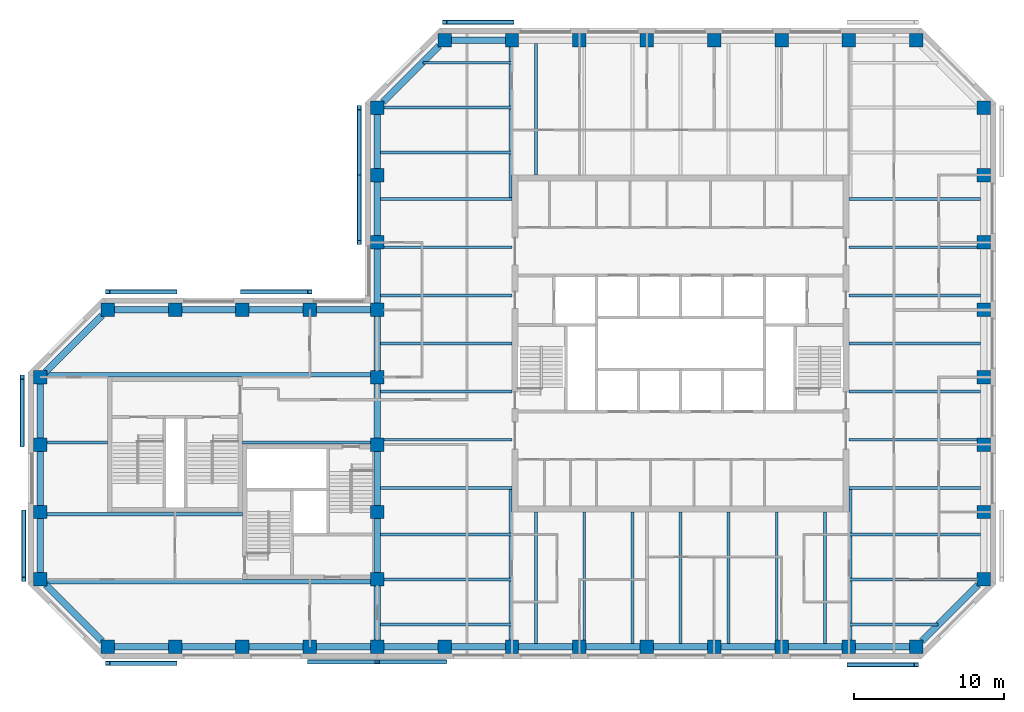
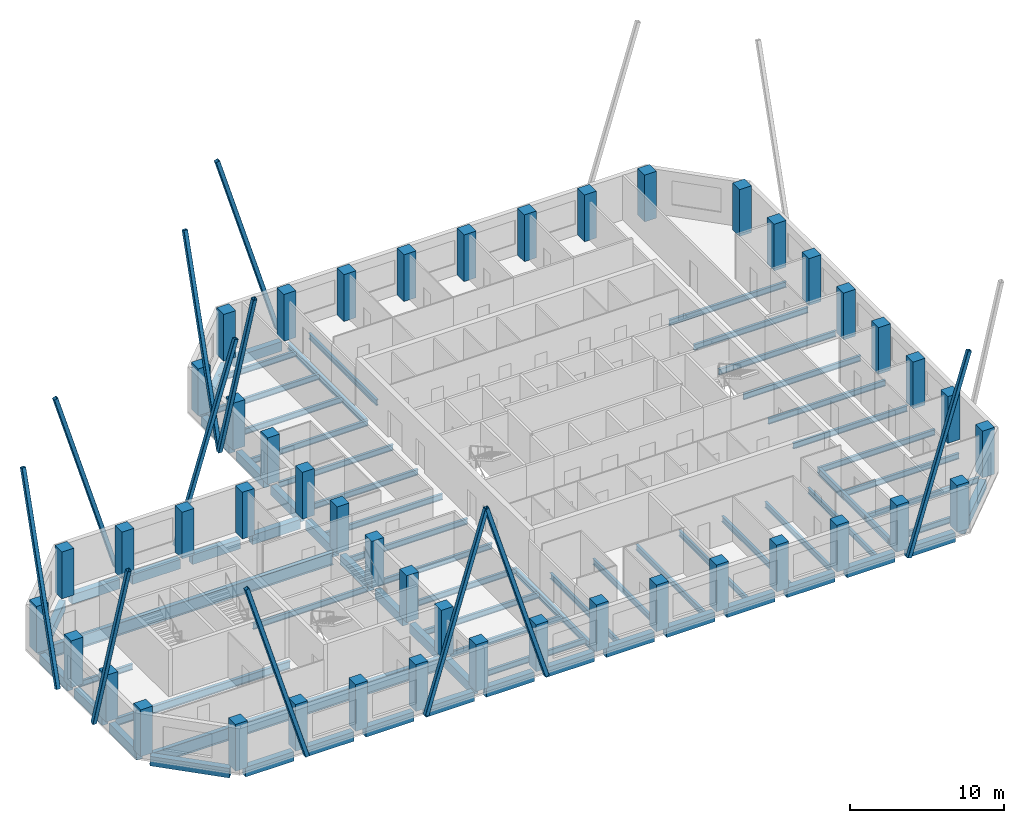
# One storey, part 1 of 10: 71 beams, 45 columns, 11 members.
"""IFC4 building model written with IfcOpenShell, lengths in metres."""

from ifc_helpers import new_model, si_unit, direction, frame, origin, origin_2d, place, context, subcontext, project, spatial, rectangle, hollow_rectangle, i_section, extrude, material, material_profile, profile_set, type_object, element, save


model = new_model("IFC4")

# Units and contexts
model_context = context("Model", 3, precision=1e-05, world=origin(), true_north=direction((0.0, 1.0)))
body_context = subcontext(model_context, "Body", "Model", "MODEL_VIEW")
ifc_project = project(units=[si_unit("LENGTHUNIT", "METRE"), si_unit("AREAUNIT", "SQUARE_METRE"), si_unit("VOLUMEUNIT", "CUBIC_METRE"), si_unit("PLANEANGLEUNIT", "RADIAN"), si_unit("MASSUNIT", "GRAM", prefix="KILO")], contexts=[model_context])

# Site, building, storey
site_placement = place(None, origin())
site = spatial("IfcSite", under=ifc_project, at=site_placement, CompositionType="ELEMENT")
building_placement = place(site_placement, origin())
building = spatial("IfcBuilding", under=site, at=building_placement, Name="Quoin Convention Tower", CompositionType="ELEMENT")
storey_placement = place(building_placement, frame((0.0, 0.0, 234.10009765625)))
storey = spatial("IfcBuildingStorey", under=building, at=storey_placement, Name="L61", CompositionType="ELEMENT", Elevation=234.10009765625)

# Columns
ifc_material_1 = material(Name="Concrete C50", Category="concrete")
ifc_material_profile_1 = material_profile(ifc_material_1, rectangle(XDim=0.89990234375, YDim=0.89990234375, at=origin_2d()), Name="RC 900x900")
ifc_profile_set_1 = profile_set([ifc_material_profile_1], Name="Concrete C50")
column_type = type_object("IfcColumnType", Name="RC 900x900 C50", PredefinedType="COLUMN", material=ifc_profile_set_1)
for number, where, z_axis, x_axis, name in (
    (1, (18.0, 40.5, 0.0), (0.0, 0.0, 1.0), (1.0, 0.0, 0.0), "col-L61-18000_40500"),
    (2, (22.5, 40.5, 0.0), (0.0, 0.0, 1.0), (1.0, 0.0, 0.0), "col-L61-22500_40500"),
    (3, (27.0, 40.5, 0.0), (0.0, 0.0, 1.0), (1.0, 0.0, 0.0), "col-L61-27000_40500"),
    (4, (31.5, 40.5, 0.0), (0.0, 0.0, 1.0), (1.0, 0.0, 0.0), "col-L61-31500_40500"),
    (5, (36.0, 40.5, 0.0), (0.0, 0.0, 1.0), (1.0, 0.0, 0.0), "col-L61-36000_40500"),
    (6, (40.5, 40.5, 0.0), (0.0, 0.0, 1.0), (1.0, 0.0, 0.0), "col-L61-40500_40500"),
    (7, (45.0, 40.5, 0.0), (0.0, 0.0, 1.0), (1.0, 0.0, 0.0), "col-L61-45000_40500"),
    (8, (49.5, 40.5, 0.0), (0.0, 0.0, 1.0), (1.0, 0.0, 0.0), "col-L61-49500_40500"),
    (9, (54.0, 40.5, 0.0), (0.0, 0.0, 1.0), (1.0, 0.0, 0.0), "col-L61-54000_40500"),
    (10, (58.5, 40.5, 0.0), (0.0, 0.0, 1.0), (1.0, 0.0, 0.0), "col-L61-58500_40500"),
    (11, (63.0, 40.5, 0.0), (0.0, 0.0, 1.0), (1.0, 0.0, 0.0), "col-L61-63000_40500"),
    (12, (67.5, 40.5, 0.0), (0.0, 0.0, 1.0), (1.0, 0.0, 0.0), "col-L61-67500_40500"),
    (13, (72.0, 40.5, 0.0), (0.0, 0.0, 1.0), (1.0, 0.0, 0.0), "col-L61-72000_40500"),
    (14, (13.5, 45.0, 0.0), (0.0, 0.0, 1.0), (1.0, 0.0, 0.0), "col-L61-13500_45000"),
    (15, (36.0, 45.0, 0.0), (0.0, 0.0, 1.0), (1.0, 0.0, 0.0), "web-L61-36000_45000"),
    (16, (76.5, 45.0, 0.0), (0.0, 0.0, 1.0), (1.0, 0.0, 0.0), "col-L61-76500_45000"),
    (17, (13.5, 49.5, 0.0), (0.0, 0.0, 1.0), (1.0, 0.0, 0.0), "col-L61-13500_49500"),
    (18, (36.0, 49.5, 0.0), (0.0, 0.0, 1.0), (1.0, 0.0, 0.0), "web-L61-36000_49500"),
    (19, (76.5, 49.5, 0.0), (0.0, 0.0, 1.0), (1.0, 0.0, 0.0), "col-L61-76500_49500"),
    (20, (13.5, 54.0, 0.0), (0.0, 0.0, 1.0), (1.0, 0.0, 0.0), "col-L61-13500_54000"),
    (21, (36.0, 54.0, 0.0), (0.0, 0.0, 1.0), (1.0, 0.0, 0.0), "web-L61-36000_54000"),
    (22, (76.5, 54.0, 0.0), (0.0, 0.0, 1.0), (1.0, 0.0, 0.0), "col-L61-76500_54000"),
    (23, (13.5, 58.5, 0.0), (0.0, 0.0, 1.0), (1.0, 0.0, 0.0), "col-L61-13500_58500"),
    (24, (36.0, 58.5, 0.0), (0.0, 0.0, 1.0), (1.0, 0.0, 0.0), "web-L61-36000_58500"),
    (25, (76.5, 58.5, 0.0), (0.0, 0.0, 1.0), (1.0, 0.0, 0.0), "col-L61-76500_58500"),
    (26, (18.0, 63.0, 0.0), (0.0, 0.0, 1.0), (1.0, 0.0, 0.0), "col-L61-18000_63000"),
    (27, (22.5, 63.0, 0.0), (0.0, 0.0, 1.0), (1.0, 0.0, 0.0), "col-L61-22500_63000"),
    (28, (27.0, 63.0, 0.0), (0.0, 0.0, 1.0), (1.0, 0.0, 0.0), "col-L61-27000_63000"),
    (29, (31.5, 63.0, 0.0), (0.0, 0.0, 1.0), (1.0, 0.0, 0.0), "col-L61-31500_63000"),
    (30, (36.0, 63.0, 0.0), (0.0, 0.0, 1.0), (1.0, 0.0, 0.0), "col-L61-36000_63000"),
    (31, (76.5, 63.0, 0.0), (0.0, 0.0, 1.0), (1.0, 0.0, 0.0), "col-L61-76500_63000"),
    (32, (36.0, 67.5, 0.0), (0.0, 0.0, 1.0), (1.0, 0.0, 0.0), "col-L61-36000_67500"),
    (33, (76.5, 67.5, 0.0), (0.0, 0.0, 1.0), (1.0, 0.0, 0.0), "col-L61-76500_67500"),
    (34, (36.0, 72.0, 0.0), (0.0, 0.0, 1.0), (1.0, 0.0, 0.0), "col-L61-36000_72000"),
    (35, (76.5, 72.0, 0.0), (0.0, 0.0, 1.0), (1.0, 0.0, 0.0), "col-L61-76500_72000"),
    (36, (36.0, 76.5, 0.0), (0.0, 0.0, 1.0), (1.0, 0.0, 0.0), "col-L61-36000_76500"),
    (37, (76.5, 76.5, 0.0), (0.0, 0.0, 1.0), (1.0, 0.0, 0.0), "col-L61-76500_76500"),
    (38, (40.5, 81.0, 0.0), (0.0, 0.0, 1.0), (1.0, 0.0, 0.0), "col-L61-40500_81000"),
    (39, (45.0, 81.0, 0.0), (0.0, 0.0, 1.0), (1.0, 0.0, 0.0), "col-L61-45000_81000"),
    (40, (49.5, 81.0, 0.0), (0.0, 0.0, 1.0), (1.0, 0.0, 0.0), "col-L61-49500_81000"),
    (41, (54.0, 81.0, 0.0), (0.0, 0.0, 1.0), (1.0, 0.0, 0.0), "col-L61-54000_81000"),
    (42, (58.5, 81.0, 0.0), (0.0, 0.0, 1.0), (1.0, 0.0, 0.0), "col-L61-58500_81000"),
    (43, (63.0, 81.0, 0.0), (0.0, 0.0, 1.0), (1.0, 0.0, 0.0), "col-L61-63000_81000"),
    (44, (67.5, 81.0, 0.0), (0.0, 0.0, 1.0), (1.0, 0.0, 0.0), "col-L61-67500_81000"),
    (45, (72.0, 81.0, 0.0), (0.0, 0.0, 1.0), (1.0, 0.0, 0.0), "col-L61-72000_81000"),
):
    element("IfcColumn", number, at=place(storey_placement, frame(where, z_axis=z_axis, x_axis=x_axis)), inside=storey, type_object=column_type, Name=name, PredefinedType="COLUMN", context=body_context, shape_type="SweptSolid", body=[
        extrude(rectangle(XDim=0.89990234375, YDim=0.89990234375, at=origin_2d()), origin(), (0.0, 0.0, 1.0), 3.699951171875),
    ])

# Beams
ifc_material_2 = material(Name="Steel Grade 300", Category="steel")
ifc_material_profile_2 = material_profile(ifc_material_2, i_section(OverallWidth=0.300048828125, OverallDepth=1.0, WebThickness=0.01611328125, FlangeThickness=0.02001953125, at=origin_2d()), Name="1000WB215")
ifc_profile_set_2 = profile_set([ifc_material_profile_2], Name="Steel Grade 300")
beam_type_1 = type_object("IfcBeamType", Name="1000WB215", PredefinedType="BEAM", material=ifc_profile_set_2)
for number, where, z_axis, x_axis, name in (
    (46, (13.949951171875, 44.85009765625, -0.650146484375), (1.0, 0.0, 0.0), (0.0, 1.0, 0.0), "gir-L61-ST2-1-0"),
    (47, (13.949951171875, 58.64990234375, -0.650146484375), (1.0, 0.0, 0.0), (0.0, 1.0, 0.0), "gir-L61-ST2-4-0"),
):
    element("IfcBeam", number, at=place(storey_placement, frame(where, z_axis=z_axis, x_axis=x_axis)), inside=storey, type_object=beam_type_1, Name=name, PredefinedType="BEAM", context=body_context, shape_type="SweptSolid", body=[
        extrude(i_section(OverallWidth=0.300048828125, OverallDepth=1.0, WebThickness=0.01611328125, FlangeThickness=0.02001953125, at=origin_2d()), origin(), (0.0, 0.0, 1.0), 21.60009765625),
    ])
ifc_material_profile_3 = material_profile(ifc_material_2, i_section(OverallWidth=0.18994140625, OverallDepth=0.4541015625, WebThickness=0.008544921875, FlangeThickness=0.0126953125, FilletRadius=0.011474609375, at=origin_2d()), Name="460UB67.1")
ifc_profile_set_3 = profile_set([ifc_material_profile_3], Name="Steel Grade 300")
beam_type_2 = type_object("IfcBeamType", Name="460UB67.1", PredefinedType="BEAM", material=ifc_profile_set_3)
beam_1_placement = place(storey_placement, frame((36.22509765625, 51.107177734375, -0.377197265625), z_axis=(1.0, 0.0, 0.0), x_axis=(0.0, 1.0, 0.0)))
element("IfcBeam", 48, at=beam_1_placement, inside=storey, type_object=beam_type_2, Name="bm-L61-T1W0", PredefinedType="BEAM", context=body_context, shape_type="SweptSolid", body=[
    extrude(i_section(OverallWidth=0.18994140625, OverallDepth=0.4541015625, WebThickness=0.008544921875, FlangeThickness=0.0126953125, FilletRadius=0.011474609375, at=origin_2d()), origin(), (0.0, 0.0, 1.0), 8.77490234375),
])
beam_2_placement = place(storey_placement, frame((36.449951171875, 54.3212890625, -0.377197265625), z_axis=(1.0, 0.0, 0.0), x_axis=(0.0, 1.0, 0.0)))
element("IfcBeam", 49, at=beam_2_placement, inside=storey, type_object=beam_type_2, Name="bm-L61-T1W1", PredefinedType="BEAM", context=body_context, shape_type="SweptSolid", body=[
    extrude(i_section(OverallWidth=0.18994140625, OverallDepth=0.4541015625, WebThickness=0.008544921875, FlangeThickness=0.0126953125, FilletRadius=0.011474609375, at=origin_2d()), origin(), (0.0, 0.0, 1.0), 8.550048828125),
])
for number, where, z_axis, x_axis, name in (
    (50, (36.22509765625, 57.53564453125, -0.377197265625), (1.0, 0.0, 0.0), (0.0, 1.0, 0.0), "bm-L61-T1W2"),
    (51, (36.22509765625, 60.75, -0.377197265625), (1.0, 0.0, 0.0), (0.0, 1.0, 0.0), "bm-L61-T1W3"),
    (52, (36.22509765625, 63.96435546875, -0.377197265625), (1.0, 0.0, 0.0), (0.0, 1.0, 0.0), "bm-L61-T1W4"),
):
    element("IfcBeam", number, at=place(storey_placement, frame(where, z_axis=z_axis, x_axis=x_axis)), inside=storey, type_object=beam_type_2, Name=name, PredefinedType="BEAM", context=body_context, shape_type="SweptSolid", body=[
        extrude(i_section(OverallWidth=0.18994140625, OverallDepth=0.4541015625, WebThickness=0.008544921875, FlangeThickness=0.0126953125, FilletRadius=0.011474609375, at=origin_2d()), origin(), (0.0, 0.0, 1.0), 8.77490234375),
    ])
beam_3_placement = place(storey_placement, frame((36.449951171875, 67.1787109375, -0.377197265625), z_axis=(1.0, 0.0, 0.0), x_axis=(0.0, 1.0, 0.0)))
element("IfcBeam", 53, at=beam_3_placement, inside=storey, type_object=beam_type_2, Name="bm-L61-T1W5", PredefinedType="BEAM", context=body_context, shape_type="SweptSolid", body=[
    extrude(i_section(OverallWidth=0.18994140625, OverallDepth=0.4541015625, WebThickness=0.008544921875, FlangeThickness=0.0126953125, FilletRadius=0.011474609375, at=origin_2d()), origin(), (0.0, 0.0, 1.0), 8.550048828125),
])
for number, where, z_axis, x_axis, name in (
    (54, (36.22509765625, 70.392822265625, -0.377197265625), (1.0, 0.0, 0.0), (0.0, 1.0, 0.0), "bm-L61-T1W6"),
    (55, (67.5, 51.107177734375, -0.377197265625), (1.0, 0.0, 0.0), (0.0, 1.0, 0.0), "bm-L61-T1E0"),
):
    element("IfcBeam", number, at=place(storey_placement, frame(where, z_axis=z_axis, x_axis=x_axis)), inside=storey, type_object=beam_type_2, Name=name, PredefinedType="BEAM", context=body_context, shape_type="SweptSolid", body=[
        extrude(i_section(OverallWidth=0.18994140625, OverallDepth=0.4541015625, WebThickness=0.008544921875, FlangeThickness=0.0126953125, FilletRadius=0.011474609375, at=origin_2d()), origin(), (0.0, 0.0, 1.0), 8.77490234375),
    ])
beam_4_placement = place(storey_placement, frame((67.5, 54.3212890625, -0.377197265625), z_axis=(1.0, 0.0, 0.0), x_axis=(0.0, 1.0, 0.0)))
element("IfcBeam", 56, at=beam_4_placement, inside=storey, type_object=beam_type_2, Name="bm-L61-T1E1", PredefinedType="BEAM", context=body_context, shape_type="SweptSolid", body=[
    extrude(i_section(OverallWidth=0.18994140625, OverallDepth=0.4541015625, WebThickness=0.008544921875, FlangeThickness=0.0126953125, FilletRadius=0.011474609375, at=origin_2d()), origin(), (0.0, 0.0, 1.0), 8.550048828125),
])
for number, where, z_axis, x_axis, name in (
    (57, (67.5, 57.53564453125, -0.377197265625), (1.0, 0.0, 0.0), (0.0, 1.0, 0.0), "bm-L61-T1E2"),
    (58, (67.5, 60.75, -0.377197265625), (1.0, 0.0, 0.0), (0.0, 1.0, 0.0), "bm-L61-T1E3"),
    (59, (67.5, 63.96435546875, -0.377197265625), (1.0, 0.0, 0.0), (0.0, 1.0, 0.0), "bm-L61-T1E4"),
):
    element("IfcBeam", number, at=place(storey_placement, frame(where, z_axis=z_axis, x_axis=x_axis)), inside=storey, type_object=beam_type_2, Name=name, PredefinedType="BEAM", context=body_context, shape_type="SweptSolid", body=[
        extrude(i_section(OverallWidth=0.18994140625, OverallDepth=0.4541015625, WebThickness=0.008544921875, FlangeThickness=0.0126953125, FilletRadius=0.011474609375, at=origin_2d()), origin(), (0.0, 0.0, 1.0), 8.77490234375),
    ])
beam_5_placement = place(storey_placement, frame((67.5, 67.1787109375, -0.377197265625), z_axis=(1.0, 0.0, 0.0), x_axis=(0.0, 1.0, 0.0)))
element("IfcBeam", 60, at=beam_5_placement, inside=storey, type_object=beam_type_2, Name="bm-L61-T1E5", PredefinedType="BEAM", context=body_context, shape_type="SweptSolid", body=[
    extrude(i_section(OverallWidth=0.18994140625, OverallDepth=0.4541015625, WebThickness=0.008544921875, FlangeThickness=0.0126953125, FilletRadius=0.011474609375, at=origin_2d()), origin(), (0.0, 0.0, 1.0), 8.550048828125),
])
for number, where, z_axis, x_axis, name in (
    (61, (67.5, 70.392822265625, -0.377197265625), (1.0, 0.0, 0.0), (0.0, 1.0, 0.0), "bm-L61-T1E6"),
    (62, (46.607177734375, 40.72509765625, -0.377197265625), (0.0, 1.0, 0.0), (-1.0, 0.0, 0.0), "bm-L61-T1S0"),
):
    element("IfcBeam", number, at=place(storey_placement, frame(where, z_axis=z_axis, x_axis=x_axis)), inside=storey, type_object=beam_type_2, Name=name, PredefinedType="BEAM", context=body_context, shape_type="SweptSolid", body=[
        extrude(i_section(OverallWidth=0.18994140625, OverallDepth=0.4541015625, WebThickness=0.008544921875, FlangeThickness=0.0126953125, FilletRadius=0.011474609375, at=origin_2d()), origin(), (0.0, 0.0, 1.0), 8.77490234375),
    ])
beam_6_placement = place(storey_placement, frame((49.8212890625, 40.949951171875, -0.377197265625), z_axis=(0.0, 1.0, 0.0), x_axis=(-1.0, 0.0, 0.0)))
element("IfcBeam", 63, at=beam_6_placement, inside=storey, type_object=beam_type_2, Name="bm-L61-T1S1", PredefinedType="BEAM", context=body_context, shape_type="SweptSolid", body=[
    extrude(i_section(OverallWidth=0.18994140625, OverallDepth=0.4541015625, WebThickness=0.008544921875, FlangeThickness=0.0126953125, FilletRadius=0.011474609375, at=origin_2d()), origin(), (0.0, 0.0, 1.0), 8.550048828125),
])
for number, where, z_axis, x_axis, name in (
    (64, (53.03564453125, 40.72509765625, -0.377197265625), (0.0, 1.0, 0.0), (-1.0, 0.0, 0.0), "bm-L61-T1S2"),
    (65, (56.25, 40.72509765625, -0.377197265625), (0.0, 1.0, 0.0), (-1.0, 0.0, 0.0), "bm-L61-T1S3"),
    (66, (59.46435546875, 40.72509765625, -0.377197265625), (0.0, 1.0, 0.0), (-1.0, 0.0, 0.0), "bm-L61-T1S4"),
):
    element("IfcBeam", number, at=place(storey_placement, frame(where, z_axis=z_axis, x_axis=x_axis)), inside=storey, type_object=beam_type_2, Name=name, PredefinedType="BEAM", context=body_context, shape_type="SweptSolid", body=[
        extrude(i_section(OverallWidth=0.18994140625, OverallDepth=0.4541015625, WebThickness=0.008544921875, FlangeThickness=0.0126953125, FilletRadius=0.011474609375, at=origin_2d()), origin(), (0.0, 0.0, 1.0), 8.77490234375),
    ])
beam_7_placement = place(storey_placement, frame((62.6787109375, 40.949951171875, -0.377197265625), z_axis=(0.0, 1.0, 0.0), x_axis=(-1.0, 0.0, 0.0)))
element("IfcBeam", 67, at=beam_7_placement, inside=storey, type_object=beam_type_2, Name="bm-L61-T1S5", PredefinedType="BEAM", context=body_context, shape_type="SweptSolid", body=[
    extrude(i_section(OverallWidth=0.18994140625, OverallDepth=0.4541015625, WebThickness=0.008544921875, FlangeThickness=0.0126953125, FilletRadius=0.011474609375, at=origin_2d()), origin(), (0.0, 0.0, 1.0), 8.550048828125),
])
for number, where, z_axis, x_axis, name in (
    (68, (65.892822265625, 40.72509765625, -0.377197265625), (0.0, 1.0, 0.0), (-1.0, 0.0, 0.0), "bm-L61-T1S6"),
    (69, (46.607177734375, 72.0, -0.377197265625), (0.0, 1.0, 0.0), (-1.0, 0.0, 0.0), "bm-L61-T1N0"),
    (70, (36.22509765625, 42.0, -0.377197265625), (1.0, 0.0, 0.0), (0.0, 1.0, 0.0), "bm-L61-T1SW0"),
):
    element("IfcBeam", number, at=place(storey_placement, frame(where, z_axis=z_axis, x_axis=x_axis)), inside=storey, type_object=beam_type_2, Name=name, PredefinedType="BEAM", context=body_context, shape_type="SweptSolid", body=[
        extrude(i_section(OverallWidth=0.18994140625, OverallDepth=0.4541015625, WebThickness=0.008544921875, FlangeThickness=0.0126953125, FilletRadius=0.011474609375, at=origin_2d()), origin(), (0.0, 0.0, 1.0), 8.77490234375),
    ])
beam_8_placement = place(storey_placement, frame((36.449951171875, 45.0, -0.377197265625), z_axis=(1.0, 0.0, 0.0), x_axis=(0.0, 1.0, 0.0)))
element("IfcBeam", 71, at=beam_8_placement, inside=storey, type_object=beam_type_2, Name="bm-L61-T1SW1", PredefinedType="BEAM", context=body_context, shape_type="SweptSolid", body=[
    extrude(i_section(OverallWidth=0.18994140625, OverallDepth=0.4541015625, WebThickness=0.008544921875, FlangeThickness=0.0126953125, FilletRadius=0.011474609375, at=origin_2d()), origin(), (0.0, 0.0, 1.0), 8.550048828125),
])
beam_9_placement = place(storey_placement, frame((36.22509765625, 48.0, -0.377197265625), z_axis=(1.0, 0.0, 0.0), x_axis=(0.0, 1.0, 0.0)))
element("IfcBeam", 72, at=beam_9_placement, inside=storey, type_object=beam_type_2, Name="bm-L61-T1SW2", PredefinedType="BEAM", context=body_context, shape_type="SweptSolid", body=[
    extrude(i_section(OverallWidth=0.18994140625, OverallDepth=0.4541015625, WebThickness=0.008544921875, FlangeThickness=0.0126953125, FilletRadius=0.011474609375, at=origin_2d()), origin(), (0.0, 0.0, 1.0), 8.77490234375),
])
beam_10_placement = place(storey_placement, frame((67.5, 42.0, -0.377197265625), z_axis=(1.0, 0.0, 0.0), x_axis=(0.0, 1.0, 0.0)))
element("IfcBeam", 73, at=beam_10_placement, inside=storey, type_object=beam_type_2, Name="bm-L61-T1SE0", PredefinedType="BEAM", context=body_context, shape_type="SweptSolid", body=[
    extrude(i_section(OverallWidth=0.18994140625, OverallDepth=0.4541015625, WebThickness=0.008544921875, FlangeThickness=0.0126953125, FilletRadius=0.011474609375, at=origin_2d()), origin(), (0.0, 0.0, 1.0), 5.935791015625),
])
beam_11_placement = place(storey_placement, frame((67.5, 45.0, -0.377197265625), z_axis=(1.0, 0.0, 0.0), x_axis=(0.0, 1.0, 0.0)))
element("IfcBeam", 74, at=beam_11_placement, inside=storey, type_object=beam_type_2, Name="bm-L61-T1SE1", PredefinedType="BEAM", context=body_context, shape_type="SweptSolid", body=[
    extrude(i_section(OverallWidth=0.18994140625, OverallDepth=0.4541015625, WebThickness=0.008544921875, FlangeThickness=0.0126953125, FilletRadius=0.011474609375, at=origin_2d()), origin(), (0.0, 0.0, 1.0), 8.550048828125),
])
beam_12_placement = place(storey_placement, frame((67.5, 48.0, -0.377197265625), z_axis=(1.0, 0.0, 0.0), x_axis=(0.0, 1.0, 0.0)))
element("IfcBeam", 75, at=beam_12_placement, inside=storey, type_object=beam_type_2, Name="bm-L61-T1SE2", PredefinedType="BEAM", context=body_context, shape_type="SweptSolid", body=[
    extrude(i_section(OverallWidth=0.18994140625, OverallDepth=0.4541015625, WebThickness=0.008544921875, FlangeThickness=0.0126953125, FilletRadius=0.011474609375, at=origin_2d()), origin(), (0.0, 0.0, 1.0), 8.77490234375),
])
beam_13_placement = place(storey_placement, frame((39.064208984375, 79.5, -0.377197265625), z_axis=(1.0, 0.0, 0.0), x_axis=(0.0, 1.0, 0.0)))
element("IfcBeam", 76, at=beam_13_placement, inside=storey, type_object=beam_type_2, Name="bm-L61-T1NW0", PredefinedType="BEAM", context=body_context, shape_type="SweptSolid", body=[
    extrude(i_section(OverallWidth=0.18994140625, OverallDepth=0.4541015625, WebThickness=0.008544921875, FlangeThickness=0.0126953125, FilletRadius=0.011474609375, at=origin_2d()), origin(), (0.0, 0.0, 1.0), 5.935791015625),
])
beam_14_placement = place(storey_placement, frame((36.449951171875, 76.5, -0.377197265625), z_axis=(1.0, 0.0, 0.0), x_axis=(0.0, 1.0, 0.0)))
element("IfcBeam", 77, at=beam_14_placement, inside=storey, type_object=beam_type_2, Name="bm-L61-T1NW1", PredefinedType="BEAM", context=body_context, shape_type="SweptSolid", body=[
    extrude(i_section(OverallWidth=0.18994140625, OverallDepth=0.4541015625, WebThickness=0.008544921875, FlangeThickness=0.0126953125, FilletRadius=0.011474609375, at=origin_2d()), origin(), (0.0, 0.0, 1.0), 8.550048828125),
])
beam_15_placement = place(storey_placement, frame((36.22509765625, 73.5, -0.377197265625), z_axis=(1.0, 0.0, 0.0), x_axis=(0.0, 1.0, 0.0)))
element("IfcBeam", 78, at=beam_15_placement, inside=storey, type_object=beam_type_2, Name="bm-L61-T1NW2", PredefinedType="BEAM", context=body_context, shape_type="SweptSolid", body=[
    extrude(i_section(OverallWidth=0.18994140625, OverallDepth=0.4541015625, WebThickness=0.008544921875, FlangeThickness=0.0126953125, FilletRadius=0.011474609375, at=origin_2d()), origin(), (0.0, 0.0, 1.0), 8.77490234375),
])
beam_16_placement = place(storey_placement, frame((13.949951171875, 54.14990234375, -0.377197265625), z_axis=(1.0, 0.0, 0.0), x_axis=(0.0, 1.0, 0.0)))
element("IfcBeam", 79, at=beam_16_placement, inside=storey, type_object=beam_type_2, Name="gir-L61-ST2-3-0", PredefinedType="BEAM", context=body_context, shape_type="SweptSolid", body=[
    extrude(i_section(OverallWidth=0.18994140625, OverallDepth=0.4541015625, WebThickness=0.008544921875, FlangeThickness=0.0126953125, FilletRadius=0.011474609375, at=origin_2d()), origin(), (0.0, 0.0, 1.0), 4.050048828125),
])
beam_17_placement = place(storey_placement, frame((27.0, 54.14990234375, -0.377197265625), z_axis=(1.0, 0.0, 0.0), x_axis=(0.0, 1.0, 0.0)))
element("IfcBeam", 80, at=beam_17_placement, inside=storey, type_object=beam_type_2, Name="gir-L61-ST2-3-1", PredefinedType="BEAM", context=body_context, shape_type="SweptSolid", body=[
    extrude(i_section(OverallWidth=0.18994140625, OverallDepth=0.4541015625, WebThickness=0.008544921875, FlangeThickness=0.0126953125, FilletRadius=0.011474609375, at=origin_2d()), origin(), (0.0, 0.0, 1.0), 8.550048828125),
])
ifc_material_profile_4 = material_profile(ifc_material_2, i_section(OverallWidth=0.208984375, OverallDepth=0.528076171875, WebThickness=0.009521484375, FlangeThickness=0.01318359375, FilletRadius=0.013916015625, at=origin_2d()), Name="530UB82.0")
ifc_profile_set_4 = profile_set([ifc_material_profile_4], Name="Steel Grade 300")
beam_type_3 = type_object("IfcBeamType", Name="530UB82.0", PredefinedType="BEAM", material=ifc_profile_set_4)
for number, where, z_axis, x_axis, name in (
    (81, (44.904541015625, 40.949951171875, -0.4140625), (0.0, 1.0, 0.0), (-1.0, 0.0, 0.0), "gir-L61-T1SW"),
    (82, (67.595458984375, 40.949951171875, -0.4140625), (0.0, 1.0, 0.0), (-1.0, 0.0, 0.0), "gir-L61-T1SE"),
    (83, (44.904541015625, 80.550048828125, -0.4140625), (0.0, -1.0, 0.0), (1.0, 0.0, 0.0), "gir-L61-T1NW"),
):
    element("IfcBeam", number, at=place(storey_placement, frame(where, z_axis=z_axis, x_axis=x_axis)), inside=storey, type_object=beam_type_3, Name=name, PredefinedType="BEAM", context=body_context, shape_type="SweptSolid", body=[
        extrude(i_section(OverallWidth=0.208984375, OverallDepth=0.528076171875, WebThickness=0.009521484375, FlangeThickness=0.01318359375, FilletRadius=0.013916015625, at=origin_2d()), origin(), (0.0, 0.0, 1.0), 10.062255859375),
    ])
ifc_material_profile_5 = material_profile(ifc_material_2, i_section(OverallWidth=0.22802734375, OverallDepth=0.60205078125, WebThickness=0.010498046875, FlangeThickness=0.014892578125, FilletRadius=0.013916015625, at=origin_2d()), Name="610UB101")
ifc_profile_set_5 = profile_set([ifc_material_profile_5], Name="Steel Grade 300")
beam_type_4 = type_object("IfcBeamType", Name="610UB101", PredefinedType="BEAM", material=ifc_profile_set_5)
beam_18_placement = place(storey_placement, frame((13.949951171875, 49.35009765625, -0.451171875), z_axis=(1.0, 0.0, 0.0), x_axis=(0.0, 1.0, 0.0)))
element("IfcBeam", 84, at=beam_18_placement, inside=storey, type_object=beam_type_4, Name="gir-L61-ST2-2-0", PredefinedType="BEAM", context=body_context, shape_type="SweptSolid", body=[
    extrude(i_section(OverallWidth=0.22802734375, OverallDepth=0.60205078125, WebThickness=0.010498046875, FlangeThickness=0.014892578125, FilletRadius=0.013916015625, at=origin_2d()), origin(), (0.0, 0.0, 1.0), 13.050048828125),
])

# Members
ifc_material_3 = material(Name="Steel C450L0", Category="steel")
ifc_material_profile_6 = material_profile(ifc_material_3, hollow_rectangle(XDim=0.300048828125, YDim=0.300048828125, WallThickness=0.012451171875, InnerFilletRadius=0.018798828125, OuterFilletRadius=0.03125, at=origin_2d()), Name="300x300x12.5SHS")
ifc_profile_set_6 = profile_set([ifc_material_profile_6], Name="Steel C450L0")
member_type = type_object("IfcMemberType", Name="Exposed brace 300x300x12.5SHS", PredefinedType="BRACE", material=ifc_profile_set_6)
for number, where, z_axis, x_axis, name in (
    (85, (12.300048828125, 54.0, -0.0751953125), (0.0, 0.290903487189, 0.956752403259), (-1.0, 0.0, 0.0), "brc-L61-13500_58500-13500_54000"),
    (86, (12.39990234375, 49.5, -0.0751953125), (0.0, -0.290903487189, 0.956752403259), (1.0, 0.0, 0.0), "brc-L61-13500_49500-13500_45000"),
    (87, (22.5, 39.39990234375, -0.0751953125), (-0.290903487189, 0.0, 0.956752403259), (0.0, -1.0, 0.0), "brc-L61-18000_40500-22500_40500"),
    (88, (31.5, 39.5, -0.0751953125), (0.290903487189, 0.0, 0.956752403259), (0.0, 1.0, 0.0), "brc-L61-31500_40500-36000_40500"),
    (89, (40.5, 39.5, -0.0751953125), (-0.290903487189, 0.0, 0.956752403259), (0.0, -1.0, 0.0), "brc-L61-36000_40500-40500_40500"),
    (90, (67.5, 39.300048828125, -0.0751953125), (0.290903487189, 0.0, 0.956752403259), (0.0, 1.0, 0.0), "brc-L61-67500_40500-72000_40500"),
    (91, (27.0, 64.199951171875, -0.0751953125), (0.290903487189, 0.0, 0.956752403259), (0.0, 1.0, 0.0), "brc-L61-31500_63000-27000_63000"),
    (92, (22.5, 64.199951171875, -0.0751953125), (-0.290903487189, 0.0, 0.956752403259), (0.0, -1.0, 0.0), "brc-L61-22500_63000-18000_63000"),
    (93, (34.800048828125, 72.0, -0.0751953125), (0.0, 0.290903487189, 0.956752403259), (-1.0, 0.0, 0.0), "brc-L61-36000_76500-36000_72000"),
    (94, (34.800048828125, 72.0, -0.0751953125), (0.0, -0.290903487189, 0.956752403259), (1.0, 0.0, 0.0), "brc-L61-36000_72000-36000_67500"),
    (95, (45.0, 82.199951171875, -0.0751953125), (-0.290903487189, 0.0, 0.956752403259), (0.0, -1.0, 0.0), "brc-L61-45000_81000-40500_81000"),
):
    element("IfcMember", number, at=place(storey_placement, frame(where, z_axis=z_axis, x_axis=x_axis)), inside=storey, type_object=member_type, Name=name, PredefinedType="BRACE", context=body_context, shape_type="SweptSolid", body=[
        extrude(hollow_rectangle(XDim=0.300048828125, YDim=0.300048828125, WallThickness=0.012451171875, InnerFilletRadius=0.018798828125, OuterFilletRadius=0.03125, at=origin_2d()), origin(), (0.0, 0.0, 1.0), 15.468994140625),
    ])

# Beams
ifc_material_profile_7 = material_profile(ifc_material_1, rectangle(XDim=0.449951171875, YDim=0.75, at=origin_2d()), Name="RC 450x750")
ifc_profile_set_7 = profile_set([ifc_material_profile_7], Name="Concrete C50")
beam_type_5 = type_object("IfcBeamType", Name="RC 450x750 C50", PredefinedType="SPANDREL", material=ifc_profile_set_7)
for number, where, z_axis, x_axis, name in (
    (96, (36.449951171875, 40.5, -0.525146484375), (1.0, 0.0, 0.0), (0.0, 1.0, 0.0), "spd-L61-36000_40500-40500_40500"),
    (97, (40.949951171875, 40.5, -0.525146484375), (1.0, 0.0, 0.0), (0.0, 1.0, 0.0), "spd-L61-40500_40500-45000_40500"),
    (98, (45.449951171875, 40.5, -0.525146484375), (1.0, 0.0, 0.0), (0.0, 1.0, 0.0), "spd-L61-45000_40500-49500_40500"),
    (99, (49.949951171875, 40.5, -0.525146484375), (1.0, 0.0, 0.0), (0.0, 1.0, 0.0), "spd-L61-49500_40500-54000_40500"),
    (100, (54.449951171875, 40.5, -0.525146484375), (1.0, 0.0, 0.0), (0.0, 1.0, 0.0), "spd-L61-54000_40500-58500_40500"),
    (101, (58.949951171875, 40.5, -0.525146484375), (1.0, 0.0, 0.0), (0.0, 1.0, 0.0), "spd-L61-58500_40500-63000_40500"),
    (102, (63.449951171875, 40.5, -0.525146484375), (1.0, 0.0, 0.0), (0.0, 1.0, 0.0), "spd-L61-63000_40500-67500_40500"),
    (103, (67.949951171875, 40.5, -0.525146484375), (1.0, 0.0, 0.0), (0.0, 1.0, 0.0), "spd-L61-67500_40500-72000_40500"),
):
    element("IfcBeam", number, at=place(storey_placement, frame(where, z_axis=z_axis, x_axis=x_axis)), inside=storey, type_object=beam_type_5, Name=name, PredefinedType="SPANDREL", context=body_context, shape_type="SweptSolid", body=[
        extrude(rectangle(XDim=0.449951171875, YDim=0.75, at=origin_2d()), origin(), (0.0, 0.0, 1.0), 3.60009765625),
    ])
beam_19_placement = place(storey_placement, frame((72.364990234375, 40.864990234375, -0.525146484375), z_axis=(0.707106781187, 0.707106781187, 0.0), x_axis=(-0.707106781187, 0.707106781187, 0.0)))
element("IfcBeam", 104, at=beam_19_placement, inside=storey, type_object=beam_type_5, Name="spd-L61-72000_40500-76500_45000", PredefinedType="SPANDREL", context=body_context, shape_type="SweptSolid", body=[
    extrude(rectangle(XDim=0.449951171875, YDim=0.75, at=origin_2d()), origin(), (0.0, 0.0, 1.0), 5.33154296875),
])
beam_20_placement = place(storey_placement, frame((44.550048828125, 81.0, -0.525146484375), z_axis=(-1.0, 0.0, 0.0), x_axis=(0.0, -1.0, 0.0)))
element("IfcBeam", 105, at=beam_20_placement, inside=storey, type_object=beam_type_5, Name="spd-L61-45000_81000-40500_81000", PredefinedType="SPANDREL", context=body_context, shape_type="SweptSolid", body=[
    extrude(rectangle(XDim=0.449951171875, YDim=0.75, at=origin_2d()), origin(), (0.0, 0.0, 1.0), 3.60009765625),
])
beam_21_placement = place(storey_placement, frame((40.135009765625, 80.635009765625, -0.525146484375), z_axis=(-0.707106781187, -0.707106781187, 0.0), x_axis=(0.707106781187, -0.707106781187, 0.0)))
element("IfcBeam", 106, at=beam_21_placement, inside=storey, type_object=beam_type_5, Name="spd-L61-40500_81000-36000_76500", PredefinedType="SPANDREL", context=body_context, shape_type="SweptSolid", body=[
    extrude(rectangle(XDim=0.449951171875, YDim=0.75, at=origin_2d()), origin(), (0.0, 0.0, 1.0), 5.33154296875),
])
for number, where, z_axis, x_axis, name in (
    (107, (36.0, 76.050048828125, -0.525146484375), (0.0, -1.0, 0.0), (1.0, 0.0, 0.0), "spd-L61-36000_76500-36000_72000"),
    (108, (36.0, 71.550048828125, -0.525146484375), (0.0, -1.0, 0.0), (1.0, 0.0, 0.0), "spd-L61-36000_72000-36000_67500"),
    (109, (36.0, 67.050048828125, -0.525146484375), (0.0, -1.0, 0.0), (1.0, 0.0, 0.0), "spd-L61-36000_67500-36000_63000"),
    (110, (35.550048828125, 63.0, -0.525146484375), (-1.0, 0.0, 0.0), (0.0, -1.0, 0.0), "spd-L61-36000_63000-31500_63000"),
    (111, (31.050048828125, 63.0, -0.525146484375), (-1.0, 0.0, 0.0), (0.0, -1.0, 0.0), "spd-L61-31500_63000-27000_63000"),
    (112, (26.550048828125, 63.0, -0.525146484375), (-1.0, 0.0, 0.0), (0.0, -1.0, 0.0), "spd-L61-27000_63000-22500_63000"),
    (113, (22.050048828125, 63.0, -0.525146484375), (-1.0, 0.0, 0.0), (0.0, -1.0, 0.0), "spd-L61-22500_63000-18000_63000"),
):
    element("IfcBeam", number, at=place(storey_placement, frame(where, z_axis=z_axis, x_axis=x_axis)), inside=storey, type_object=beam_type_5, Name=name, PredefinedType="SPANDREL", context=body_context, shape_type="SweptSolid", body=[
        extrude(rectangle(XDim=0.449951171875, YDim=0.75, at=origin_2d()), origin(), (0.0, 0.0, 1.0), 3.60009765625),
    ])
beam_22_placement = place(storey_placement, frame((17.635009765625, 62.635009765625, -0.525146484375), z_axis=(-0.707106781187, -0.707106781187, 0.0), x_axis=(0.707106781187, -0.707106781187, 0.0)))
element("IfcBeam", 114, at=beam_22_placement, inside=storey, type_object=beam_type_5, Name="spd-L61-18000_63000-13500_58500", PredefinedType="SPANDREL", context=body_context, shape_type="SweptSolid", body=[
    extrude(rectangle(XDim=0.449951171875, YDim=0.75, at=origin_2d()), origin(), (0.0, 0.0, 1.0), 5.33154296875),
])
for number, where, z_axis, x_axis, name in (
    (115, (13.5, 58.050048828125, -0.525146484375), (0.0, -1.0, 0.0), (1.0, 0.0, 0.0), "spd-L61-13500_58500-13500_54000"),
    (116, (13.5, 53.550048828125, -0.525146484375), (0.0, -1.0, 0.0), (1.0, 0.0, 0.0), "spd-L61-13500_54000-13500_49500"),
    (117, (13.5, 49.050048828125, -0.525146484375), (0.0, -1.0, 0.0), (1.0, 0.0, 0.0), "spd-L61-13500_49500-13500_45000"),
):
    element("IfcBeam", number, at=place(storey_placement, frame(where, z_axis=z_axis, x_axis=x_axis)), inside=storey, type_object=beam_type_5, Name=name, PredefinedType="SPANDREL", context=body_context, shape_type="SweptSolid", body=[
        extrude(rectangle(XDim=0.449951171875, YDim=0.75, at=origin_2d()), origin(), (0.0, 0.0, 1.0), 3.60009765625),
    ])
beam_23_placement = place(storey_placement, frame((13.864990234375, 44.635009765625, -0.525146484375), z_axis=(0.707106781187, -0.707106781187, 0.0), x_axis=(0.707106781187, 0.707106781187, 0.0)))
element("IfcBeam", 118, at=beam_23_placement, inside=storey, type_object=beam_type_5, Name="spd-L61-13500_45000-18000_40500", PredefinedType="SPANDREL", context=body_context, shape_type="SweptSolid", body=[
    extrude(rectangle(XDim=0.449951171875, YDim=0.75, at=origin_2d()), origin(), (0.0, 0.0, 1.0), 5.33154296875),
])
for number, where, z_axis, x_axis, name in (
    (119, (18.449951171875, 40.5, -0.525146484375), (1.0, 0.0, 0.0), (0.0, 1.0, 0.0), "spd-L61-18000_40500-22500_40500"),
    (120, (22.949951171875, 40.5, -0.525146484375), (1.0, 0.0, 0.0), (0.0, 1.0, 0.0), "spd-L61-22500_40500-27000_40500"),
    (121, (27.449951171875, 40.5, -0.525146484375), (1.0, 0.0, 0.0), (0.0, 1.0, 0.0), "spd-L61-27000_40500-31500_40500"),
    (122, (31.949951171875, 40.5, -0.525146484375), (1.0, 0.0, 0.0), (0.0, 1.0, 0.0), "spd-L61-31500_40500-36000_40500"),
    (123, (36.0, 40.949951171875, -0.525146484375), (0.0, 1.0, 0.0), (-1.0, 0.0, 0.0), "spd-L61-36000_40500-36000_45000"),
    (124, (36.0, 45.449951171875, -0.525146484375), (0.0, 1.0, 0.0), (-1.0, 0.0, 0.0), "spd-L61-36000_45000-36000_49500"),
    (125, (36.0, 49.949951171875, -0.525146484375), (0.0, 1.0, 0.0), (-1.0, 0.0, 0.0), "spd-L61-36000_49500-36000_54000"),
    (126, (36.0, 54.449951171875, -0.525146484375), (0.0, 1.0, 0.0), (-1.0, 0.0, 0.0), "spd-L61-36000_54000-36000_58500"),
    (127, (36.0, 58.949951171875, -0.525146484375), (0.0, 1.0, 0.0), (-1.0, 0.0, 0.0), "spd-L61-36000_58500-36000_63000"),
):
    element("IfcBeam", number, at=place(storey_placement, frame(where, z_axis=z_axis, x_axis=x_axis)), inside=storey, type_object=beam_type_5, Name=name, PredefinedType="SPANDREL", context=body_context, shape_type="SweptSolid", body=[
        extrude(rectangle(XDim=0.449951171875, YDim=0.75, at=origin_2d()), origin(), (0.0, 0.0, 1.0), 3.60009765625),
    ])

save(model, "model.ifc")
